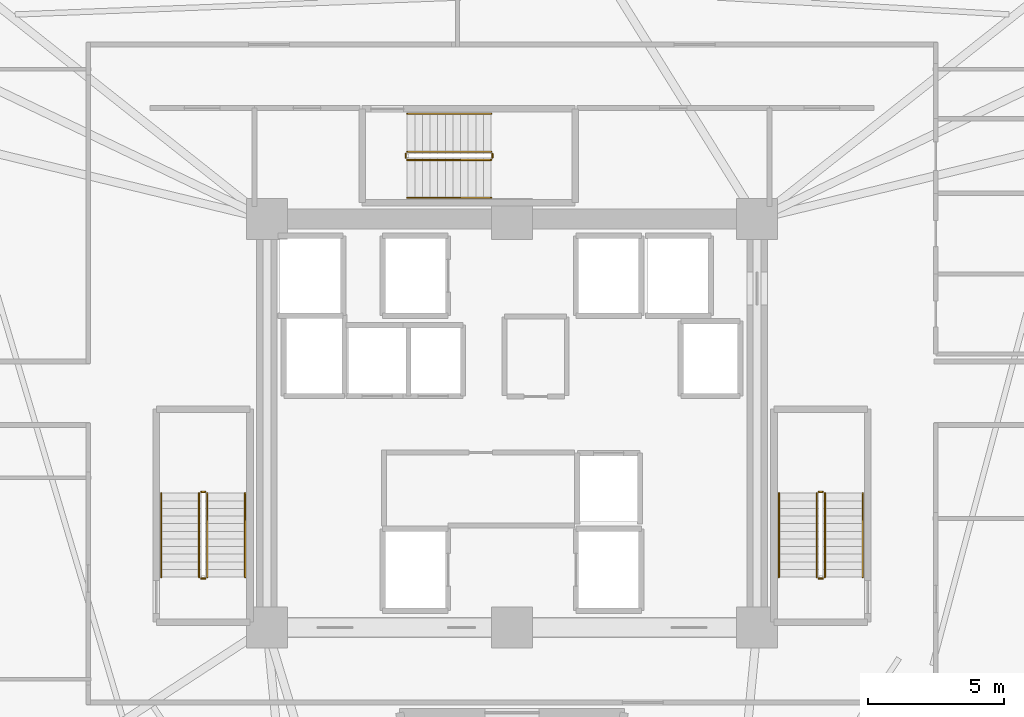
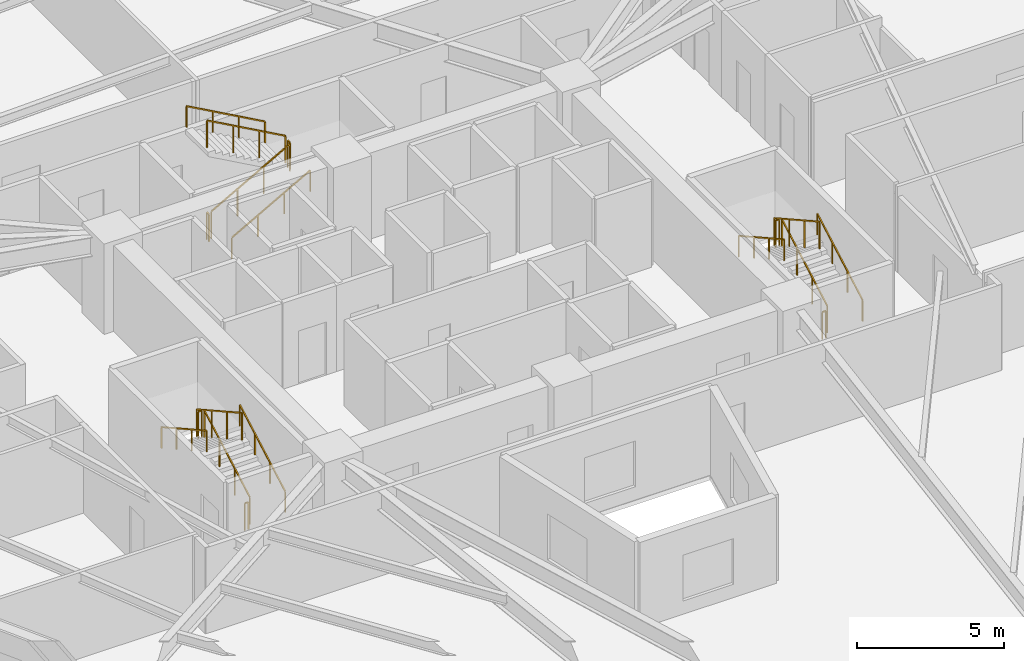
# One storey, part 7 of 7: 18 railings.
"""IFC4 building model written with IfcOpenShell, lengths in metres."""

from ifc_helpers import new_model, si_unit, direction, frame, origin, origin_2d, place, context, subcontext, project, spatial, rectangle, extrude, material, type_object, element, save


model = new_model("IFC4")

# Units and contexts
model_context = context("Model", 3, precision=1e-05, world=origin(), true_north=direction((0.0, 1.0)))
body_context = subcontext(model_context, "Body", "Model", "MODEL_VIEW")
ifc_project = project(units=[si_unit("LENGTHUNIT", "METRE"), si_unit("AREAUNIT", "SQUARE_METRE"), si_unit("VOLUMEUNIT", "CUBIC_METRE"), si_unit("PLANEANGLEUNIT", "RADIAN"), si_unit("MASSUNIT", "GRAM", prefix="KILO")], contexts=[model_context])

# Site, building, storey
site_placement = place(None, origin())
site = spatial("IfcSite", under=ifc_project, at=site_placement, CompositionType="ELEMENT")
building_placement = place(site_placement, origin())
building = spatial("IfcBuilding", under=site, at=building_placement, Name="Liaohun Quay Tower", CompositionType="ELEMENT")
storey_placement = place(building_placement, frame((0.0, 0.0, 117.0)))
storey = spatial("IfcBuildingStorey", under=building, at=storey_placement, Name="L30", CompositionType="ELEMENT", Elevation=117.0)

# Railings
ifc_material_1 = material(Name="Painted tubular steel", Category="steel")
railing_type_1 = type_object("IfcRailingType", Name="RLG-GUARD-STR", PredefinedType="GUARDRAIL", material=ifc_material_1)
railing_1_placement = place(storey_placement, frame((48.81005859375, 48.35009765625, 0.15625)))
element("IfcRailing", 1, at=railing_1_placement, inside=storey, type_object=railing_type_1, Name="L30 ST-1 stair guard 1", PredefinedType="GUARDRAIL", context=body_context, shape_type="SweptSolid", body=[
    extrude(rectangle(XDim=0.048095703125, YDim=0.048095703125, at=origin_2d()), frame((0.0, 0.0, 1.1259765625), z_axis=(0.0, 0.873225103656, 0.487317061414), x_axis=(-1.0, 0.0, 0.0)), (0.0, 0.0, 1.0), 3.52685546875),
    extrude(rectangle(XDim=0.0419921875, YDim=0.0419921875, at=origin_2d()), origin(), (0.0, 0.0, 1.0), 1.101806640625),
    extrude(rectangle(XDim=0.0419921875, YDim=0.0419921875, at=origin_2d()), frame((0.0, 1.026611328125, 0.572998046875)), (0.0, 0.0, 1.0), 1.101806640625),
    extrude(rectangle(XDim=0.0419921875, YDim=0.0419921875, at=origin_2d()), frame((0.0, 2.05322265625, 1.145751953125)), (0.0, 0.0, 1.0), 1.101806640625),
    extrude(rectangle(XDim=0.0419921875, YDim=0.0419921875, at=origin_2d()), frame((0.0, 3.079833984375, 1.71875)), (0.0, 0.0, 1.0), 1.101806640625),
])
railing_2_placement = place(storey_placement, frame((48.72998046875, 51.47998046875, 1.875)))
element("IfcRailing", 2, at=railing_2_placement, inside=storey, type_object=railing_type_1, Name="L30 ST-1 stair guard 2", PredefinedType="GUARDRAIL", context=body_context, shape_type="SweptSolid", body=[
    extrude(rectangle(XDim=0.048095703125, YDim=0.048095703125, at=origin_2d()), frame((0.0, 0.0, 1.1259765625), z_axis=(-1.0, 0.0, 0.0), x_axis=(0.0, -1.0, 0.0)), (0.0, 0.0, 1.0), 0.139892578125),
    extrude(rectangle(XDim=0.0419921875, YDim=0.0419921875, at=origin_2d()), origin(), (0.0, 0.0, 1.0), 1.101806640625),
    extrude(rectangle(XDim=0.0419921875, YDim=0.0419921875, at=origin_2d()), frame((-0.139892578125, 0.0, 0.0)), (0.0, 0.0, 1.0), 1.101806640625),
])
railing_3_placement = place(storey_placement, frame((48.510009765625, 51.429931640625, 2.03125)))
element("IfcRailing", 3, at=railing_3_placement, inside=storey, type_object=railing_type_1, Name="L30 ST-1 stair guard 3", PredefinedType="GUARDRAIL", context=body_context, shape_type="SweptSolid", body=[
    extrude(rectangle(XDim=0.048095703125, YDim=0.048095703125, at=origin_2d()), frame((0.0, 0.0, 1.1259765625), z_axis=(0.0, -0.873225103656, 0.487317061414), x_axis=(1.0, 0.0, 0.0)), (0.0, 0.0, 1.0), 3.52685546875),
    extrude(rectangle(XDim=0.0419921875, YDim=0.0419921875, at=origin_2d()), origin(), (0.0, 0.0, 1.0), 1.101806640625),
    extrude(rectangle(XDim=0.0419921875, YDim=0.0419921875, at=origin_2d()), frame((0.0, -1.026611328125, 0.572998046875)), (0.0, 0.0, 1.0), 1.101806640625),
    extrude(rectangle(XDim=0.0419921875, YDim=0.0419921875, at=origin_2d()), frame((0.0, -2.05322265625, 1.145751953125)), (0.0, 0.0, 1.0), 1.101806640625),
    extrude(rectangle(XDim=0.0419921875, YDim=0.0419921875, at=origin_2d()), frame((0.0, -3.079833984375, 1.71875)), (0.0, 0.0, 1.0), 1.101806640625),
])
railing_4_placement = place(storey_placement, frame((48.72998046875, 48.300048828125, 0.0)))
element("IfcRailing", 4, at=railing_4_placement, inside=storey, type_object=railing_type_1, Name="L30 ST-1 stair guard 4", PredefinedType="GUARDRAIL", context=body_context, shape_type="SweptSolid", body=[
    extrude(rectangle(XDim=0.048095703125, YDim=0.048095703125, at=origin_2d()), frame((0.0, 0.0, 1.1259765625), z_axis=(-1.0, 0.0, 0.0), x_axis=(0.0, -1.0, 0.0)), (0.0, 0.0, 1.0), 0.139892578125),
    extrude(rectangle(XDim=0.0419921875, YDim=0.0419921875, at=origin_2d()), origin(), (0.0, 0.0, 1.0), 1.101806640625),
    extrude(rectangle(XDim=0.0419921875, YDim=0.0419921875, at=origin_2d()), frame((-0.139892578125, 0.0, 0.0)), (0.0, 0.0, 1.0), 1.101806640625),
])
railing_5_placement = place(storey_placement, frame((71.489990234375, 48.35009765625, 0.15625)))
element("IfcRailing", 5, at=railing_5_placement, inside=storey, type_object=railing_type_1, Name="L30 ST-2 stair guard 1", PredefinedType="GUARDRAIL", context=body_context, shape_type="SweptSolid", body=[
    extrude(rectangle(XDim=0.048095703125, YDim=0.048095703125, at=origin_2d()), frame((0.0, 0.0, 1.1259765625), z_axis=(0.0, 0.873225103656, 0.487317061414), x_axis=(-1.0, 0.0, 0.0)), (0.0, 0.0, 1.0), 3.52685546875),
    extrude(rectangle(XDim=0.0419921875, YDim=0.0419921875, at=origin_2d()), origin(), (0.0, 0.0, 1.0), 1.101806640625),
    extrude(rectangle(XDim=0.0419921875, YDim=0.0419921875, at=origin_2d()), frame((0.0, 1.026611328125, 0.572998046875)), (0.0, 0.0, 1.0), 1.101806640625),
    extrude(rectangle(XDim=0.0419921875, YDim=0.0419921875, at=origin_2d()), frame((0.0, 2.05322265625, 1.145751953125)), (0.0, 0.0, 1.0), 1.101806640625),
    extrude(rectangle(XDim=0.0419921875, YDim=0.0419921875, at=origin_2d()), frame((0.0, 3.079833984375, 1.71875)), (0.0, 0.0, 1.0), 1.101806640625),
])
railing_6_placement = place(storey_placement, frame((71.409912109375, 51.47998046875, 1.875)))
element("IfcRailing", 6, at=railing_6_placement, inside=storey, type_object=railing_type_1, Name="L30 ST-2 stair guard 2", PredefinedType="GUARDRAIL", context=body_context, shape_type="SweptSolid", body=[
    extrude(rectangle(XDim=0.048095703125, YDim=0.048095703125, at=origin_2d()), frame((0.0, 0.0, 1.1259765625), z_axis=(-1.0, 0.0, 0.0), x_axis=(0.0, -1.0, 0.0)), (0.0, 0.0, 1.0), 0.139892578125),
    extrude(rectangle(XDim=0.0419921875, YDim=0.0419921875, at=origin_2d()), origin(), (0.0, 0.0, 1.0), 1.101806640625),
    extrude(rectangle(XDim=0.0419921875, YDim=0.0419921875, at=origin_2d()), frame((-0.139892578125, 0.0, 0.0)), (0.0, 0.0, 1.0), 1.101806640625),
])
railing_7_placement = place(storey_placement, frame((71.18994140625, 51.429931640625, 2.03125)))
element("IfcRailing", 7, at=railing_7_placement, inside=storey, type_object=railing_type_1, Name="L30 ST-2 stair guard 3", PredefinedType="GUARDRAIL", context=body_context, shape_type="SweptSolid", body=[
    extrude(rectangle(XDim=0.048095703125, YDim=0.048095703125, at=origin_2d()), frame((0.0, 0.0, 1.1259765625), z_axis=(0.0, -0.873225103656, 0.487317061414), x_axis=(1.0, 0.0, 0.0)), (0.0, 0.0, 1.0), 3.52685546875),
    extrude(rectangle(XDim=0.0419921875, YDim=0.0419921875, at=origin_2d()), origin(), (0.0, 0.0, 1.0), 1.101806640625),
    extrude(rectangle(XDim=0.0419921875, YDim=0.0419921875, at=origin_2d()), frame((0.0, -1.026611328125, 0.572998046875)), (0.0, 0.0, 1.0), 1.101806640625),
    extrude(rectangle(XDim=0.0419921875, YDim=0.0419921875, at=origin_2d()), frame((0.0, -2.05322265625, 1.145751953125)), (0.0, 0.0, 1.0), 1.101806640625),
    extrude(rectangle(XDim=0.0419921875, YDim=0.0419921875, at=origin_2d()), frame((0.0, -3.079833984375, 1.71875)), (0.0, 0.0, 1.0), 1.101806640625),
])
railing_8_placement = place(storey_placement, frame((71.409912109375, 48.300048828125, 0.0)))
element("IfcRailing", 8, at=railing_8_placement, inside=storey, type_object=railing_type_1, Name="L30 ST-2 stair guard 4", PredefinedType="GUARDRAIL", context=body_context, shape_type="SweptSolid", body=[
    extrude(rectangle(XDim=0.048095703125, YDim=0.048095703125, at=origin_2d()), frame((0.0, 0.0, 1.1259765625), z_axis=(-1.0, 0.0, 0.0), x_axis=(0.0, -1.0, 0.0)), (0.0, 0.0, 1.0), 0.139892578125),
    extrude(rectangle(XDim=0.0419921875, YDim=0.0419921875, at=origin_2d()), origin(), (0.0, 0.0, 1.0), 1.101806640625),
    extrude(rectangle(XDim=0.0419921875, YDim=0.0419921875, at=origin_2d()), frame((-0.139892578125, 0.0, 0.0)), (0.0, 0.0, 1.0), 1.101806640625),
])
railing_9_placement = place(storey_placement, frame((56.14990234375, 63.669921875, 0.15625)))
element("IfcRailing", 9, at=railing_9_placement, inside=storey, type_object=railing_type_1, Name="L30 ST-3 stair guard 1", PredefinedType="GUARDRAIL", context=body_context, shape_type="SweptSolid", body=[
    extrude(rectangle(XDim=0.048095703125, YDim=0.048095703125, at=origin_2d()), frame((0.0, 0.0, 1.1259765625), z_axis=(0.873241540666, 0.0, 0.487287606713), x_axis=(0.0, 1.0, 0.0)), (0.0, 0.0, 1.0), 3.527099609375),
    extrude(rectangle(XDim=0.0419921875, YDim=0.0419921875, at=origin_2d()), origin(), (0.0, 0.0, 1.0), 1.101806640625),
    extrude(rectangle(XDim=0.0419921875, YDim=0.0419921875, at=origin_2d()), frame((1.026611328125, 0.0, 0.572998046875)), (0.0, 0.0, 1.0), 1.101806640625),
    extrude(rectangle(XDim=0.0419921875, YDim=0.0419921875, at=origin_2d()), frame((2.053466796875, 0.0, 1.145751953125)), (0.0, 0.0, 1.0), 1.101806640625),
    extrude(rectangle(XDim=0.0419921875, YDim=0.0419921875, at=origin_2d()), frame((3.080078125, 0.0, 1.71875)), (0.0, 0.0, 1.0), 1.101806640625),
])
railing_10_placement = place(storey_placement, frame((59.280029296875, 63.75, 1.875)))
element("IfcRailing", 10, at=railing_10_placement, inside=storey, type_object=railing_type_1, Name="L30 ST-3 stair guard 2", PredefinedType="GUARDRAIL", context=body_context, shape_type="SweptSolid", body=[
    extrude(rectangle(XDim=0.048095703125, YDim=0.048095703125, at=origin_2d()), frame((0.0, 0.0, 1.1259765625), z_axis=(0.0, 1.0, 0.0), x_axis=(-1.0, 0.0, 0.0)), (0.0, 0.0, 1.0), 0.139892578125),
    extrude(rectangle(XDim=0.0419921875, YDim=0.0419921875, at=origin_2d()), origin(), (0.0, 0.0, 1.0), 1.101806640625),
    extrude(rectangle(XDim=0.0419921875, YDim=0.0419921875, at=origin_2d()), frame((0.0, 0.139892578125, 0.0)), (0.0, 0.0, 1.0), 1.101806640625),
])
railing_11_placement = place(storey_placement, frame((59.22998046875, 63.969970703125, 2.03125)))
element("IfcRailing", 11, at=railing_11_placement, inside=storey, type_object=railing_type_1, Name="L30 ST-3 stair guard 3", PredefinedType="GUARDRAIL", context=body_context, shape_type="SweptSolid", body=[
    extrude(rectangle(XDim=0.048095703125, YDim=0.048095703125, at=origin_2d()), frame((0.0, 0.0, 1.1259765625), z_axis=(-0.873241540666, 0.0, 0.487287606713), x_axis=(0.0, -1.0, 0.0)), (0.0, 0.0, 1.0), 3.527099609375),
    extrude(rectangle(XDim=0.0419921875, YDim=0.0419921875, at=origin_2d()), origin(), (0.0, 0.0, 1.0), 1.101806640625),
    extrude(rectangle(XDim=0.0419921875, YDim=0.0419921875, at=origin_2d()), frame((-1.026611328125, 0.0, 0.572998046875)), (0.0, 0.0, 1.0), 1.101806640625),
    extrude(rectangle(XDim=0.0419921875, YDim=0.0419921875, at=origin_2d()), frame((-2.053466796875, 0.0, 1.145751953125)), (0.0, 0.0, 1.0), 1.101806640625),
    extrude(rectangle(XDim=0.0419921875, YDim=0.0419921875, at=origin_2d()), frame((-3.080078125, 0.0, 1.71875)), (0.0, 0.0, 1.0), 1.101806640625),
])
railing_12_placement = place(storey_placement, frame((56.10009765625, 63.75, 0.0)))
element("IfcRailing", 12, at=railing_12_placement, inside=storey, type_object=railing_type_1, Name="L30 ST-3 stair guard 4", PredefinedType="GUARDRAIL", context=body_context, shape_type="SweptSolid", body=[
    extrude(rectangle(XDim=0.048095703125, YDim=0.048095703125, at=origin_2d()), frame((0.0, 0.0, 1.1259765625), z_axis=(0.0, 1.0, 0.0), x_axis=(-1.0, 0.0, 0.0)), (0.0, 0.0, 1.0), 0.139892578125),
    extrude(rectangle(XDim=0.0419921875, YDim=0.0419921875, at=origin_2d()), origin(), (0.0, 0.0, 1.0), 1.101806640625),
    extrude(rectangle(XDim=0.0419921875, YDim=0.0419921875, at=origin_2d()), frame((0.0, 0.139892578125, 0.0)), (0.0, 0.0, 1.0), 1.101806640625),
])
ifc_material_2 = material(Name="Brushed stainless steel", Category="steel")
railing_type_2 = type_object("IfcRailingType", Name="RLG-HND-STR", PredefinedType="HANDRAIL", material=ifc_material_2)
railing_13_placement = place(storey_placement, frame((50.199951171875, 48.35009765625, 0.15625)))
element("IfcRailing", 13, at=railing_13_placement, inside=storey, type_object=railing_type_2, Name="L30 ST-1 stair handrail 1", PredefinedType="HANDRAIL", context=body_context, shape_type="SweptSolid", body=[
    extrude(rectangle(XDim=0.048095703125, YDim=0.048095703125, at=origin_2d()), frame((0.0, 0.0, 0.8759765625), z_axis=(0.0, 0.873225103656, 0.487317061414), x_axis=(-1.0, 0.0, 0.0)), (0.0, 0.0, 1.0), 3.52685546875),
    extrude(rectangle(XDim=0.0419921875, YDim=0.0419921875, at=origin_2d()), origin(), (0.0, 0.0, 1.0), 0.851806640625),
    extrude(rectangle(XDim=0.0419921875, YDim=0.0419921875, at=origin_2d()), frame((0.0, 1.026611328125, 0.572998046875)), (0.0, 0.0, 1.0), 0.851806640625),
    extrude(rectangle(XDim=0.0419921875, YDim=0.0419921875, at=origin_2d()), frame((0.0, 2.05322265625, 1.145751953125)), (0.0, 0.0, 1.0), 0.851806640625),
    extrude(rectangle(XDim=0.0419921875, YDim=0.0419921875, at=origin_2d()), frame((0.0, 3.079833984375, 1.71875)), (0.0, 0.0, 1.0), 0.851806640625),
])
railing_14_placement = place(storey_placement, frame((47.1201171875, 51.429931640625, 2.03125)))
element("IfcRailing", 14, at=railing_14_placement, inside=storey, type_object=railing_type_2, Name="L30 ST-1 stair handrail 2", PredefinedType="HANDRAIL", context=body_context, shape_type="SweptSolid", body=[
    extrude(rectangle(XDim=0.048095703125, YDim=0.048095703125, at=origin_2d()), frame((0.0, 0.0, 0.8759765625), z_axis=(0.0, -0.873225103656, 0.487317061414), x_axis=(1.0, 0.0, 0.0)), (0.0, 0.0, 1.0), 3.52685546875),
    extrude(rectangle(XDim=0.0419921875, YDim=0.0419921875, at=origin_2d()), origin(), (0.0, 0.0, 1.0), 0.851806640625),
    extrude(rectangle(XDim=0.0419921875, YDim=0.0419921875, at=origin_2d()), frame((0.0, -1.026611328125, 0.572998046875)), (0.0, 0.0, 1.0), 0.851806640625),
    extrude(rectangle(XDim=0.0419921875, YDim=0.0419921875, at=origin_2d()), frame((0.0, -2.05322265625, 1.145751953125)), (0.0, 0.0, 1.0), 0.851806640625),
    extrude(rectangle(XDim=0.0419921875, YDim=0.0419921875, at=origin_2d()), frame((0.0, -3.079833984375, 1.71875)), (0.0, 0.0, 1.0), 0.851806640625),
])
railing_15_placement = place(storey_placement, frame((72.8798828125, 48.35009765625, 0.15625)))
element("IfcRailing", 15, at=railing_15_placement, inside=storey, type_object=railing_type_2, Name="L30 ST-2 stair handrail 1", PredefinedType="HANDRAIL", context=body_context, shape_type="SweptSolid", body=[
    extrude(rectangle(XDim=0.048095703125, YDim=0.048095703125, at=origin_2d()), frame((0.0, 0.0, 0.8759765625), z_axis=(0.0, 0.873225103656, 0.487317061414), x_axis=(-1.0, 0.0, 0.0)), (0.0, 0.0, 1.0), 3.52685546875),
    extrude(rectangle(XDim=0.0419921875, YDim=0.0419921875, at=origin_2d()), origin(), (0.0, 0.0, 1.0), 0.851806640625),
    extrude(rectangle(XDim=0.0419921875, YDim=0.0419921875, at=origin_2d()), frame((0.0, 1.026611328125, 0.572998046875)), (0.0, 0.0, 1.0), 0.851806640625),
    extrude(rectangle(XDim=0.0419921875, YDim=0.0419921875, at=origin_2d()), frame((0.0, 2.05322265625, 1.145751953125)), (0.0, 0.0, 1.0), 0.851806640625),
    extrude(rectangle(XDim=0.0419921875, YDim=0.0419921875, at=origin_2d()), frame((0.0, 3.079833984375, 1.71875)), (0.0, 0.0, 1.0), 0.851806640625),
])
railing_16_placement = place(storey_placement, frame((69.800048828125, 51.429931640625, 2.03125)))
element("IfcRailing", 16, at=railing_16_placement, inside=storey, type_object=railing_type_2, Name="L30 ST-2 stair handrail 2", PredefinedType="HANDRAIL", context=body_context, shape_type="SweptSolid", body=[
    extrude(rectangle(XDim=0.048095703125, YDim=0.048095703125, at=origin_2d()), frame((0.0, 0.0, 0.8759765625), z_axis=(0.0, -0.873225103656, 0.487317061414), x_axis=(1.0, 0.0, 0.0)), (0.0, 0.0, 1.0), 3.52685546875),
    extrude(rectangle(XDim=0.0419921875, YDim=0.0419921875, at=origin_2d()), origin(), (0.0, 0.0, 1.0), 0.851806640625),
    extrude(rectangle(XDim=0.0419921875, YDim=0.0419921875, at=origin_2d()), frame((0.0, -1.026611328125, 0.572998046875)), (0.0, 0.0, 1.0), 0.851806640625),
    extrude(rectangle(XDim=0.0419921875, YDim=0.0419921875, at=origin_2d()), frame((0.0, -2.05322265625, 1.145751953125)), (0.0, 0.0, 1.0), 0.851806640625),
    extrude(rectangle(XDim=0.0419921875, YDim=0.0419921875, at=origin_2d()), frame((0.0, -3.079833984375, 1.71875)), (0.0, 0.0, 1.0), 0.851806640625),
])
railing_17_placement = place(storey_placement, frame((56.14990234375, 62.280029296875, 0.15625)))
element("IfcRailing", 17, at=railing_17_placement, inside=storey, type_object=railing_type_2, Name="L30 ST-3 stair handrail 1", PredefinedType="HANDRAIL", context=body_context, shape_type="SweptSolid", body=[
    extrude(rectangle(XDim=0.048095703125, YDim=0.048095703125, at=origin_2d()), frame((0.0, 0.0, 0.8759765625), z_axis=(0.873241540666, 0.0, 0.487287606713), x_axis=(0.0, 1.0, 0.0)), (0.0, 0.0, 1.0), 3.527099609375),
    extrude(rectangle(XDim=0.0419921875, YDim=0.0419921875, at=origin_2d()), origin(), (0.0, 0.0, 1.0), 0.851806640625),
    extrude(rectangle(XDim=0.0419921875, YDim=0.0419921875, at=origin_2d()), frame((1.026611328125, 0.0, 0.572998046875)), (0.0, 0.0, 1.0), 0.851806640625),
    extrude(rectangle(XDim=0.0419921875, YDim=0.0419921875, at=origin_2d()), frame((2.053466796875, 0.0, 1.145751953125)), (0.0, 0.0, 1.0), 0.851806640625),
    extrude(rectangle(XDim=0.0419921875, YDim=0.0419921875, at=origin_2d()), frame((3.080078125, 0.0, 1.71875)), (0.0, 0.0, 1.0), 0.851806640625),
])
railing_18_placement = place(storey_placement, frame((59.22998046875, 65.360107421875, 2.03125)))
element("IfcRailing", 18, at=railing_18_placement, inside=storey, type_object=railing_type_2, Name="L30 ST-3 stair handrail 2", PredefinedType="HANDRAIL", context=body_context, shape_type="SweptSolid", body=[
    extrude(rectangle(XDim=0.048095703125, YDim=0.048095703125, at=origin_2d()), frame((0.0, 0.0, 0.8759765625), z_axis=(-0.873241540666, 0.0, 0.487287606713), x_axis=(0.0, -1.0, 0.0)), (0.0, 0.0, 1.0), 3.527099609375),
    extrude(rectangle(XDim=0.0419921875, YDim=0.0419921875, at=origin_2d()), origin(), (0.0, 0.0, 1.0), 0.851806640625),
    extrude(rectangle(XDim=0.0419921875, YDim=0.0419921875, at=origin_2d()), frame((-1.026611328125, 0.0, 0.572998046875)), (0.0, 0.0, 1.0), 0.851806640625),
    extrude(rectangle(XDim=0.0419921875, YDim=0.0419921875, at=origin_2d()), frame((-2.053466796875, 0.0, 1.145751953125)), (0.0, 0.0, 1.0), 0.851806640625),
    extrude(rectangle(XDim=0.0419921875, YDim=0.0419921875, at=origin_2d()), frame((-3.080078125, 0.0, 1.71875)), (0.0, 0.0, 1.0), 0.851806640625),
])

save(model, "model.ifc")
